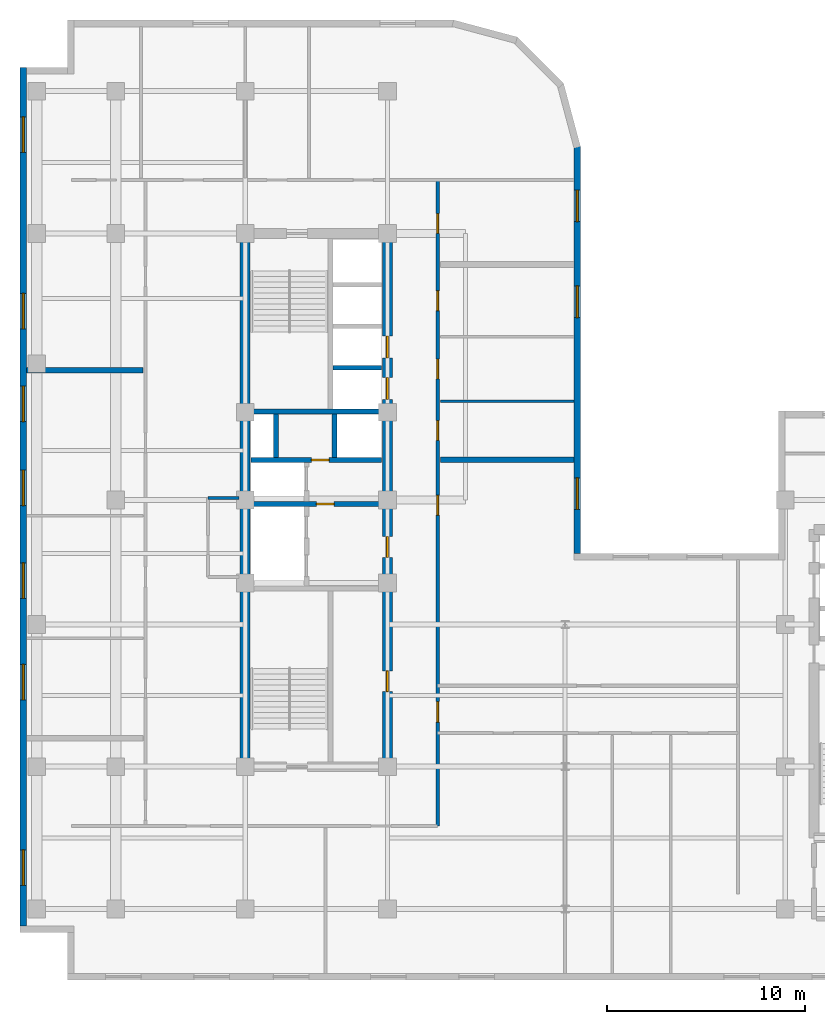
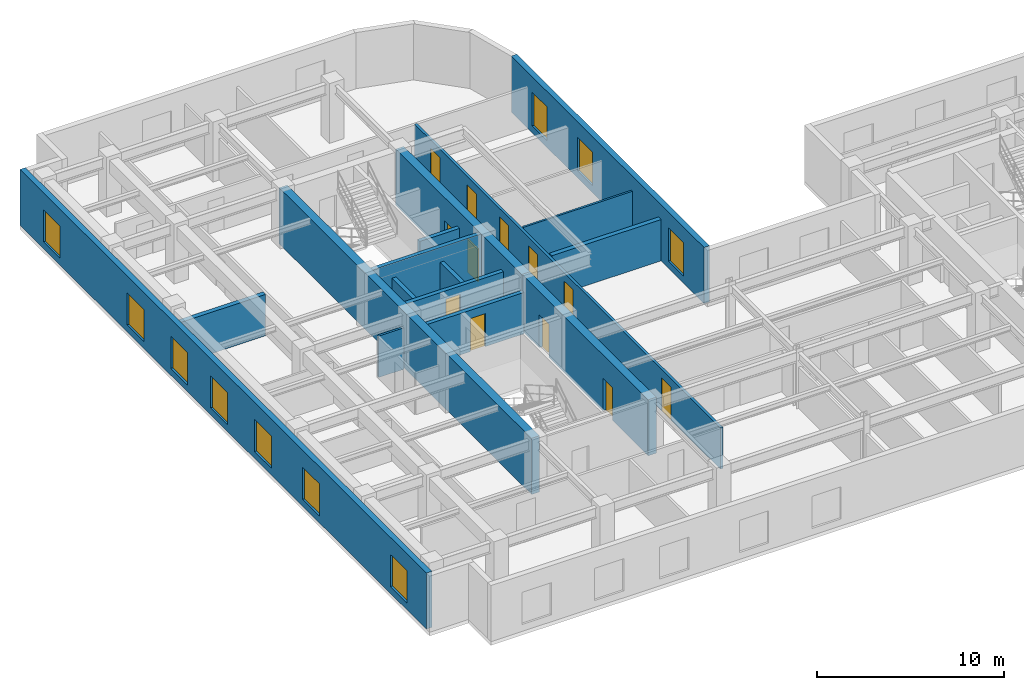
# One storey, part 5 of 11: 16 walls, 12 doors, 10 windows, 22 openings.
"""IFC4 building model written with IfcOpenShell, lengths in metres."""

from ifc_helpers import new_model, entity, si_unit, converted_unit, direction, frame, origin_with_axes, origin_2d_with_axis, place, context, subcontext, project, spatial, polyline, rectangle, outline, extrude, material, layer, layer_set, type_object, element, fill, save


model = new_model("IFC4")

# Units and contexts
model_context = context("Model", 3, precision=1e-05, world=origin_with_axes(), true_north=direction((0.0, 1.0)))
body_context = subcontext(model_context, "Body", "Model", "MODEL_VIEW")
ifc_project = project(units=[si_unit("LENGTHUNIT", "METRE"), si_unit("AREAUNIT", "SQUARE_METRE"), si_unit("VOLUMEUNIT", "CUBIC_METRE"), converted_unit("PLANEANGLEUNIT", "DEGREE", entity("IfcPlaneAngleMeasure", 0.017453292519943295), si_unit("PLANEANGLEUNIT", "RADIAN"), dimensions=[0, 0, 0, 0, 0, 0, 0]), si_unit("MASSUNIT", "GRAM", prefix="KILO"), si_unit("THERMODYNAMICTEMPERATUREUNIT", "KELVIN")], contexts=[model_context])

# Site, building, storey
site_placement = place(None, origin_with_axes())
site = spatial("IfcSite", under=ifc_project, at=site_placement, CompositionType="ELEMENT")
building_placement = place(site_placement, origin_with_axes())
building = spatial("IfcBuilding", under=site, at=building_placement, Name="Varnlund Millrace Tower", CompositionType="ELEMENT")
storey_placement = place(building_placement, frame((0.0, 0.0, 196.5), z_axis=(0.0, 0.0, 1.0), x_axis=(1.0, 0.0, 0.0)))
storey = spatial("IfcBuildingStorey", under=building, at=storey_placement, Name="L48", CompositionType="ELEMENT", Elevation=196.5)

# Wall
ifc_material_1 = material(Name="Concrete C70/85", Category="concrete")
ifc_layer_1 = layer(ifc_material_1, 0.5, Name="Concrete C70/85")
ifc_layer_set_1 = layer_set([ifc_layer_1], Name="Concrete C70/85")
wall_type_1 = type_object("IfcWallType", Name="Type-CoreWall-Shear-500-C70", PredefinedType="SHEAR", material=ifc_layer_set_1)
wall_1_placement = place(storey_placement, frame((11.4, 10.8, 0.0), z_axis=(0.0, 0.0, 1.0), x_axis=(0.0, 1.0, 0.0)))
element("IfcWall", 1, at=wall_1_placement, inside=storey, type_object=wall_type_1, Name="Type-CoreWall-Shear-500-C70", PredefinedType="SHEAR", context=body_context, shape_type="SweptSolid", body=[
    extrude(outline(polyline([(0.0, -0.25), (27.0, -0.25), (27.0, 0.25), (0.0, 0.25), (0.0, -0.25)])), origin_with_axes(), (0.0, 0.0, 1.0), 3.66),
])

# Wall, openings, doors
wall_2_placement = place(storey_placement, frame((18.6, 10.8, 0.0), z_axis=(0.0, 0.0, 1.0), x_axis=(0.0, 1.0, 0.0)))
wall_2 = element("IfcWall", 2, at=wall_2_placement, inside=storey, type_object=wall_type_1, Name="Type-CoreWall-Shear-500-C70", PredefinedType="SHEAR", context=body_context, shape_type="SweptSolid", body=[
    extrude(outline(polyline([(0.0, -0.25), (13.5, -0.25), (13.5, 0.25), (0.0, 0.25), (0.0, -0.25)])), origin_with_axes(), (0.0, 0.0, 1.0), 3.66),
])
opening_1_placement = place(wall_2_placement, frame((11.125, 0.0, 0.0), z_axis=(0.0, 0.0, 1.0), x_axis=(1.0, 0.0, 0.0)))
opening_1 = element("IfcOpeningElement", 3, at=opening_1_placement, cuts=wall_2, Name="Opening L48:DR-FFLOB-A", PredefinedType="OPENING", context=body_context, shape_type="SweptSolid", body=[
    extrude(rectangle(XDim=1.05, YDim=0.52, at=origin_2d_with_axis()), origin_with_axes(), (0.0, 0.0, 1.0), 2.15),
])
opening_2_placement = place(wall_2_placement, frame((4.325, 0.0, 0.0), z_axis=(0.0, 0.0, 1.0), x_axis=(1.0, 0.0, 0.0)))
opening_2 = element("IfcOpeningElement", 4, at=opening_2_placement, cuts=wall_2, Name="Opening L48:DR-RECL-A1", PredefinedType="OPENING", context=body_context, shape_type="SweptSolid", body=[
    extrude(rectangle(XDim=1.05, YDim=0.52, at=origin_2d_with_axis()), origin_with_axes(), (0.0, 0.0, 1.0), 2.15),
])
ifc_material_2 = material(Name="Smoke-barrier hollow steel fire door", Category="steel")
door_type_1 = type_object("IfcDoorType", Name="Type-FireDoor-Lobby-1050X2150", OperationType="NOTDEFINED", PredefinedType="DOOR", material=ifc_material_2)
door_1_placement = place(wall_2_placement, frame((11.125, 0.0, 0.0), z_axis=(0.0, 0.0, 1.0), x_axis=(1.0, 0.0, 0.0)))
door_1 = element("IfcDoor", 5, at=door_1_placement, inside=storey, type_object=door_type_1, Name="Type-FireDoor-Lobby-1050X2150", OperationType="SINGLE_SWING_LEFT", OverallHeight=2.15, OverallWidth=1.05, PredefinedType="DOOR", context=body_context, shape_type="SweptSolid", body=[
    extrude(rectangle(XDim=1.05, YDim=0.09, at=origin_2d_with_axis()), origin_with_axes(), (0.0, 0.0, 1.0), 2.15),
])
fill(opening_1, door_1)
door_2_placement = place(wall_2_placement, frame((4.325, 0.0, 0.0), z_axis=(0.0, 0.0, 1.0), x_axis=(1.0, 0.0, 0.0)))
door_2 = element("IfcDoor", 6, at=door_2_placement, inside=storey, type_object=door_type_1, Name="Type-FireDoor-Lobby-1050X2150", OperationType="SINGLE_SWING_LEFT", OverallHeight=2.15, OverallWidth=1.05, PredefinedType="DOOR", context=body_context, shape_type="SweptSolid", body=[
    extrude(rectangle(XDim=1.05, YDim=0.09, at=origin_2d_with_axis()), origin_with_axes(), (0.0, 0.0, 1.0), 2.15),
])
fill(opening_2, door_2)

wall_3_placement = place(storey_placement, frame((18.6, 24.3, 0.0), z_axis=(0.0, 0.0, 1.0), x_axis=(0.0, 1.0, 0.0)))
wall_3 = element("IfcWall", 7, at=wall_3_placement, inside=storey, type_object=wall_type_1, Name="Type-CoreWall-Shear-500-C70", PredefinedType="SHEAR", context=body_context, shape_type="SweptSolid", body=[
    extrude(outline(polyline([(0.0, -0.25), (13.5, -0.25), (13.5, 0.25), (0.0, 0.25), (0.0, -0.25)])), origin_with_axes(), (0.0, 0.0, 1.0), 3.66),
])
opening_3_placement = place(wall_3_placement, frame((5.65, 0.0, 0.0), z_axis=(0.0, 0.0, 1.0), x_axis=(1.0, 0.0, 0.0)))
opening_3 = element("IfcOpeningElement", 8, at=opening_3_placement, cuts=wall_3, Name="Opening L48:LD-ELV-M1", PredefinedType="OPENING", context=body_context, shape_type="SweptSolid", body=[
    extrude(rectangle(XDim=1.1, YDim=0.52, at=origin_2d_with_axis()), origin_with_axes(), (0.0, 0.0, 1.0), 2.15),
])
opening_4_placement = place(wall_3_placement, frame((7.75, 0.0, 0.0), z_axis=(0.0, 0.0, 1.0), x_axis=(1.0, 0.0, 0.0)))
opening_4 = element("IfcOpeningElement", 9, at=opening_4_placement, cuts=wall_3, Name="Opening L48:LD-ELV-M2", PredefinedType="OPENING", context=body_context, shape_type="SweptSolid", body=[
    extrude(rectangle(XDim=1.1, YDim=0.52, at=origin_2d_with_axis()), origin_with_axes(), (0.0, 0.0, 1.0), 2.15),
])
ifc_material_3 = material(Name="Stainless and architectural bronze sliding landing door")
door_type_2 = type_object("IfcDoorType", Name="Type-LiftLandingDoor-1100X2150", OperationType="NOTDEFINED", PredefinedType="DOOR", material=ifc_material_3)
door_3_placement = place(wall_3_placement, frame((5.65, 0.0, 0.0), z_axis=(0.0, 0.0, 1.0), x_axis=(1.0, 0.0, 0.0)))
door_3 = element("IfcDoor", 10, at=door_3_placement, inside=storey, type_object=door_type_2, Name="Type-LiftLandingDoor-1100X2150", OperationType="SLIDING_TO_LEFT", OverallHeight=2.15, OverallWidth=1.1, PredefinedType="DOOR", context=body_context, shape_type="SweptSolid", body=[
    extrude(rectangle(XDim=1.1, YDim=0.09, at=origin_2d_with_axis()), origin_with_axes(), (0.0, 0.0, 1.0), 2.15),
])
fill(opening_3, door_3)
door_4_placement = place(wall_3_placement, frame((7.75, 0.0, 0.0), z_axis=(0.0, 0.0, 1.0), x_axis=(1.0, 0.0, 0.0)))
door_4 = element("IfcDoor", 11, at=door_4_placement, inside=storey, type_object=door_type_2, Name="Type-LiftLandingDoor-1100X2150", OperationType="SLIDING_TO_RIGHT", OverallHeight=2.15, OverallWidth=1.1, PredefinedType="DOOR", context=body_context, shape_type="SweptSolid", body=[
    extrude(rectangle(XDim=1.1, YDim=0.09, at=origin_2d_with_axis()), origin_with_axes(), (0.0, 0.0, 1.0), 2.15),
])
fill(opening_4, door_4)

# Wall, openings, windows
ifc_material_4 = material(Name="Precast concrete C50/60", Category="concrete")
ifc_layer_2 = layer(ifc_material_4, 0.34, Name="Precast concrete C50/60")
ifc_layer_set_2 = layer_set([ifc_layer_2], Name="Precast concrete C50/60")
wall_type_2 = type_object("IfcWallType", Name="Type-ExtWall-Precast-Upper-340", PredefinedType="SOLIDWALL", material=ifc_layer_set_2)
wall_4_placement = place(storey_placement, frame((0.17, 2.74, 0.0), z_axis=(0.0, 0.0, 1.0), x_axis=(0.0, 1.0, 0.0)))
wall_4 = element("IfcWall", 12, at=wall_4_placement, inside=storey, type_object=wall_type_2, Name="Type-ExtWall-Precast-Upper-340", PredefinedType="SOLIDWALL", context=body_context, shape_type="SweptSolid", body=[
    extrude(outline(polyline([(0.0, -0.17), (43.46, -0.17), (43.46, 0.17), (0.0, 0.17), (0.0, -0.17)])), origin_with_axes(), (0.0, 0.0, 1.0), 3.66),
])
opening_5_placement = place(wall_4_placement, frame((2.948, 0.0, 0.45), z_axis=(0.0, 0.0, 1.0), x_axis=(1.0, 0.0, 0.0)))
opening_5 = element("IfcOpeningElement", 13, at=opening_5_placement, cuts=wall_4, Name="Opening L48:WN-17", PredefinedType="OPENING", context=body_context, shape_type="SweptSolid", body=[
    extrude(rectangle(XDim=1.8, YDim=0.36, at=origin_2d_with_axis()), origin_with_axes(), (0.0, 0.0, 1.0), 2.1),
])
opening_6_placement = place(wall_4_placement, frame((12.339, 0.0, 0.45), z_axis=(0.0, 0.0, 1.0), x_axis=(1.0, 0.0, 0.0)))
opening_6 = element("IfcOpeningElement", 14, at=opening_6_placement, cuts=wall_4, Name="Opening L48:WN-18", PredefinedType="OPENING", context=body_context, shape_type="SweptSolid", body=[
    extrude(rectangle(XDim=1.8, YDim=0.36, at=origin_2d_with_axis()), origin_with_axes(), (0.0, 0.0, 1.0), 2.1),
])
opening_7_placement = place(wall_4_placement, frame((17.484, 0.0, 0.45), z_axis=(0.0, 0.0, 1.0), x_axis=(1.0, 0.0, 0.0)))
opening_7 = element("IfcOpeningElement", 15, at=opening_7_placement, cuts=wall_4, Name="Opening L48:WN-19", PredefinedType="OPENING", context=body_context, shape_type="SweptSolid", body=[
    extrude(rectangle(XDim=1.8, YDim=0.36, at=origin_2d_with_axis()), origin_with_axes(), (0.0, 0.0, 1.0), 2.1),
])
opening_8_placement = place(wall_4_placement, frame((22.18, 0.0, 0.45), z_axis=(0.0, 0.0, 1.0), x_axis=(1.0, 0.0, 0.0)))
opening_8 = element("IfcOpeningElement", 16, at=opening_8_placement, cuts=wall_4, Name="Opening L48:WN-20", PredefinedType="OPENING", context=body_context, shape_type="SweptSolid", body=[
    extrude(rectangle(XDim=1.8, YDim=0.36, at=origin_2d_with_axis()), origin_with_axes(), (0.0, 0.0, 1.0), 2.1),
])
opening_9_placement = place(wall_4_placement, frame((26.426, 0.0, 0.45), z_axis=(0.0, 0.0, 1.0), x_axis=(1.0, 0.0, 0.0)))
opening_9 = element("IfcOpeningElement", 17, at=opening_9_placement, cuts=wall_4, Name="Opening L48:WN-21", PredefinedType="OPENING", context=body_context, shape_type="SweptSolid", body=[
    extrude(rectangle(XDim=1.8, YDim=0.36, at=origin_2d_with_axis()), origin_with_axes(), (0.0, 0.0, 1.0), 2.1),
])
opening_10_placement = place(wall_4_placement, frame((31.121, 0.0, 0.45), z_axis=(0.0, 0.0, 1.0), x_axis=(1.0, 0.0, 0.0)))
opening_10 = element("IfcOpeningElement", 18, at=opening_10_placement, cuts=wall_4, Name="Opening L48:WN-22", PredefinedType="OPENING", context=body_context, shape_type="SweptSolid", body=[
    extrude(rectangle(XDim=1.8, YDim=0.36, at=origin_2d_with_axis()), origin_with_axes(), (0.0, 0.0, 1.0), 2.1),
])
opening_11_placement = place(wall_4_placement, frame((40.062, 0.0, 0.45), z_axis=(0.0, 0.0, 1.0), x_axis=(1.0, 0.0, 0.0)))
opening_11 = element("IfcOpeningElement", 19, at=opening_11_placement, cuts=wall_4, Name="Opening L48:WN-23", PredefinedType="OPENING", context=body_context, shape_type="SweptSolid", body=[
    extrude(rectangle(XDim=1.8, YDim=0.36, at=origin_2d_with_axis()), origin_with_axes(), (0.0, 0.0, 1.0), 2.1),
])
ifc_material_5 = material(Name="Argon low-e triple glazing in thermally broken bronze frame", Category="glass")
window_type_1 = type_object("IfcWindowType", Name="Type-Window-Punched-1800X2100", PartitioningType="SINGLE_PANEL", PredefinedType="WINDOW", material=ifc_material_5)
window_1_placement = place(wall_4_placement, frame((2.948, 0.0, 0.45), z_axis=(0.0, 0.0, 1.0), x_axis=(1.0, 0.0, 0.0)))
window_1 = element("IfcWindow", 20, at=window_1_placement, inside=storey, type_object=window_type_1, Name="Type-Window-Punched-1800X2100", OverallHeight=2.1, OverallWidth=1.8, PredefinedType="WINDOW", context=body_context, shape_type="SweptSolid", body=[
    extrude(rectangle(XDim=1.8, YDim=0.09, at=origin_2d_with_axis()), origin_with_axes(), (0.0, 0.0, 1.0), 2.1),
])
fill(opening_5, window_1)
window_2_placement = place(wall_4_placement, frame((12.339, 0.0, 0.45), z_axis=(0.0, 0.0, 1.0), x_axis=(1.0, 0.0, 0.0)))
window_2 = element("IfcWindow", 21, at=window_2_placement, inside=storey, type_object=window_type_1, Name="Type-Window-Punched-1800X2100", OverallHeight=2.1, OverallWidth=1.8, PredefinedType="WINDOW", context=body_context, shape_type="SweptSolid", body=[
    extrude(rectangle(XDim=1.8, YDim=0.09, at=origin_2d_with_axis()), origin_with_axes(), (0.0, 0.0, 1.0), 2.1),
])
fill(opening_6, window_2)
window_3_placement = place(wall_4_placement, frame((17.484, 0.0, 0.45), z_axis=(0.0, 0.0, 1.0), x_axis=(1.0, 0.0, 0.0)))
window_3 = element("IfcWindow", 22, at=window_3_placement, inside=storey, type_object=window_type_1, Name="Type-Window-Punched-1800X2100", OverallHeight=2.1, OverallWidth=1.8, PredefinedType="WINDOW", context=body_context, shape_type="SweptSolid", body=[
    extrude(rectangle(XDim=1.8, YDim=0.09, at=origin_2d_with_axis()), origin_with_axes(), (0.0, 0.0, 1.0), 2.1),
])
fill(opening_7, window_3)
window_4_placement = place(wall_4_placement, frame((22.18, 0.0, 0.45), z_axis=(0.0, 0.0, 1.0), x_axis=(1.0, 0.0, 0.0)))
window_4 = element("IfcWindow", 23, at=window_4_placement, inside=storey, type_object=window_type_1, Name="Type-Window-Punched-1800X2100", OverallHeight=2.1, OverallWidth=1.8, PredefinedType="WINDOW", context=body_context, shape_type="SweptSolid", body=[
    extrude(rectangle(XDim=1.8, YDim=0.09, at=origin_2d_with_axis()), origin_with_axes(), (0.0, 0.0, 1.0), 2.1),
])
fill(opening_8, window_4)
window_5_placement = place(wall_4_placement, frame((26.426, 0.0, 0.45), z_axis=(0.0, 0.0, 1.0), x_axis=(1.0, 0.0, 0.0)))
window_5 = element("IfcWindow", 24, at=window_5_placement, inside=storey, type_object=window_type_1, Name="Type-Window-Punched-1800X2100", OverallHeight=2.1, OverallWidth=1.8, PredefinedType="WINDOW", context=body_context, shape_type="SweptSolid", body=[
    extrude(rectangle(XDim=1.8, YDim=0.09, at=origin_2d_with_axis()), origin_with_axes(), (0.0, 0.0, 1.0), 2.1),
])
fill(opening_9, window_5)
window_6_placement = place(wall_4_placement, frame((31.121, 0.0, 0.45), z_axis=(0.0, 0.0, 1.0), x_axis=(1.0, 0.0, 0.0)))
window_6 = element("IfcWindow", 25, at=window_6_placement, inside=storey, type_object=window_type_1, Name="Type-Window-Punched-1800X2100", OverallHeight=2.1, OverallWidth=1.8, PredefinedType="WINDOW", context=body_context, shape_type="SweptSolid", body=[
    extrude(rectangle(XDim=1.8, YDim=0.09, at=origin_2d_with_axis()), origin_with_axes(), (0.0, 0.0, 1.0), 2.1),
])
fill(opening_10, window_6)
window_7_placement = place(wall_4_placement, frame((40.062, 0.0, 0.45), z_axis=(0.0, 0.0, 1.0), x_axis=(1.0, 0.0, 0.0)))
window_7 = element("IfcWindow", 26, at=window_7_placement, inside=storey, type_object=window_type_1, Name="Type-Window-Punched-1800X2100", OverallHeight=2.1, OverallWidth=1.8, PredefinedType="WINDOW", context=body_context, shape_type="SweptSolid", body=[
    extrude(rectangle(XDim=1.8, YDim=0.09, at=origin_2d_with_axis()), origin_with_axes(), (0.0, 0.0, 1.0), 2.1),
])
fill(opening_11, window_7)

wall_5_placement = place(storey_placement, frame((28.209, 42.22, 0.0), z_axis=(0.0, 0.0, 1.0), x_axis=(0.0, -1.0, 0.0)))
wall_5 = element("IfcWall", 27, at=wall_5_placement, inside=storey, type_object=wall_type_2, Name="Type-ExtWall-Precast-Upper-340", PredefinedType="SOLIDWALL", context=body_context, shape_type="SweptSolid", body=[
    extrude(outline(polyline([(0.0, -0.17), (20.62, -0.17), (20.62, 0.17), (0.0, 0.17), (0.0, -0.17)])), origin_with_axes(), (0.0, 0.0, 1.0), 3.66),
])
opening_12_placement = place(wall_5_placement, frame((3.028, 0.0, 0.45), z_axis=(0.0, 0.0, 1.0), x_axis=(1.0, 0.0, 0.0)))
opening_12 = element("IfcOpeningElement", 28, at=opening_12_placement, cuts=wall_5, Name="Opening L48:WN-26", PredefinedType="OPENING", context=body_context, shape_type="SweptSolid", body=[
    extrude(rectangle(XDim=1.6, YDim=0.36, at=origin_2d_with_axis()), origin_with_axes(), (0.0, 0.0, 1.0), 2.2),
])
opening_13_placement = place(wall_5_placement, frame((7.882, 0.0, 0.45), z_axis=(0.0, 0.0, 1.0), x_axis=(1.0, 0.0, 0.0)))
opening_13 = element("IfcOpeningElement", 29, at=opening_13_placement, cuts=wall_5, Name="Opening L48:WN-27", PredefinedType="OPENING", context=body_context, shape_type="SweptSolid", body=[
    extrude(rectangle(XDim=1.6, YDim=0.36, at=origin_2d_with_axis()), origin_with_axes(), (0.0, 0.0, 1.0), 2.2),
])
opening_14_placement = place(wall_5_placement, frame((17.593, 0.0, 0.45), z_axis=(0.0, 0.0, 1.0), x_axis=(1.0, 0.0, 0.0)))
opening_14 = element("IfcOpeningElement", 30, at=opening_14_placement, cuts=wall_5, Name="Opening L48:WN-28", PredefinedType="OPENING", context=body_context, shape_type="SweptSolid", body=[
    extrude(rectangle(XDim=1.6, YDim=0.36, at=origin_2d_with_axis()), origin_with_axes(), (0.0, 0.0, 1.0), 2.2),
])
window_type_2 = type_object("IfcWindowType", Name="Type-Window-Slot-1600X2200", PartitioningType="SINGLE_PANEL", PredefinedType="WINDOW", material=ifc_material_5)
window_8_placement = place(wall_5_placement, frame((3.028, 0.0, 0.45), z_axis=(0.0, 0.0, 1.0), x_axis=(1.0, 0.0, 0.0)))
window_8 = element("IfcWindow", 31, at=window_8_placement, inside=storey, type_object=window_type_2, Name="Type-Window-Slot-1600X2200", OverallHeight=2.2, OverallWidth=1.6, PredefinedType="WINDOW", context=body_context, shape_type="SweptSolid", body=[
    extrude(rectangle(XDim=1.6, YDim=0.09, at=origin_2d_with_axis()), origin_with_axes(), (0.0, 0.0, 1.0), 2.2),
])
fill(opening_12, window_8)
window_9_placement = place(wall_5_placement, frame((7.882, 0.0, 0.45), z_axis=(0.0, 0.0, 1.0), x_axis=(1.0, 0.0, 0.0)))
window_9 = element("IfcWindow", 32, at=window_9_placement, inside=storey, type_object=window_type_2, Name="Type-Window-Slot-1600X2200", OverallHeight=2.2, OverallWidth=1.6, PredefinedType="WINDOW", context=body_context, shape_type="SweptSolid", body=[
    extrude(rectangle(XDim=1.6, YDim=0.09, at=origin_2d_with_axis()), origin_with_axes(), (0.0, 0.0, 1.0), 2.2),
])
fill(opening_13, window_9)
window_10_placement = place(wall_5_placement, frame((17.593, 0.0, 0.45), z_axis=(0.0, 0.0, 1.0), x_axis=(1.0, 0.0, 0.0)))
window_10 = element("IfcWindow", 33, at=window_10_placement, inside=storey, type_object=window_type_2, Name="Type-Window-Slot-1600X2200", OverallHeight=2.2, OverallWidth=1.6, PredefinedType="WINDOW", context=body_context, shape_type="SweptSolid", body=[
    extrude(rectangle(XDim=1.6, YDim=0.09, at=origin_2d_with_axis()), origin_with_axes(), (0.0, 0.0, 1.0), 2.2),
])
fill(opening_14, window_10)

# Walls
ifc_material_6 = material(Name="Double-stud STC-60 conference acoustic partition", Category="gypsum")
ifc_layer_3 = layer(ifc_material_6, 0.28, Name="Double-stud STC-60 conference acoustic partition")
ifc_layer_set_3 = layer_set([ifc_layer_3], Name="Double-stud STC-60 conference acoustic partition")
wall_type_3 = type_object("IfcWallType", Name="Type-Partition-Acoustic-280", PredefinedType="PARTITIONING", material=ifc_layer_set_3)
wall_6_placement = place(storey_placement, frame((0.335, 30.87, 0.0), z_axis=(0.0, 0.0, 1.0), x_axis=(1.0, 0.0, 0.0)))
element("IfcWall", 34, at=wall_6_placement, inside=storey, type_object=wall_type_3, Name="Type-Partition-Acoustic-280", PredefinedType="PARTITIONING", context=body_context, shape_type="SweptSolid", body=[
    extrude(outline(polyline([(0.0, -0.14), (5.895, -0.14), (5.895, 0.14), (0.0, 0.14), (0.0, -0.14)])), origin_with_axes(), (0.0, 0.0, 1.0), 2.7),
])
wall_7_placement = place(storey_placement, frame((21.3, 26.339, 0.0), z_axis=(0.0, 0.0, 1.0), x_axis=(1.0, 0.0, 0.0)))
element("IfcWall", 35, at=wall_7_placement, inside=storey, type_object=wall_type_3, Name="Type-Partition-Acoustic-280", PredefinedType="PARTITIONING", context=body_context, shape_type="SweptSolid", body=[
    extrude(outline(polyline([(0.0, -0.14), (6.744, -0.14), (6.744, 0.14), (0.0, 0.14), (0.0, -0.14)])), origin_with_axes(), (0.0, 0.0, 1.0), 2.7),
])

# Wall, openings, doors
ifc_material_7 = material(Name="Fire-rated gypsum board on cold-formed steel framing", Category="steel")
ifc_layer_4 = layer(ifc_material_7, 0.16, Name="Fire-rated gypsum board on cold-formed steel framing")
ifc_layer_set_4 = layer_set([ifc_layer_4], Name="Fire-rated gypsum board on cold-formed steel framing")
wall_type_4 = type_object("IfcWallType", Name="Type-Partition-Corridor-160", PredefinedType="PARTITIONING", material=ifc_layer_set_4)
wall_8_placement = place(storey_placement, frame((21.15, 7.8, 0.0), z_axis=(0.0, 0.0, 1.0), x_axis=(0.0, 1.0, 0.0)))
wall_8 = element("IfcWall", 36, at=wall_8_placement, inside=storey, type_object=wall_type_4, Name="Type-Partition-Corridor-160", PredefinedType="PARTITIONING", context=body_context, shape_type="SweptSolid", body=[
    extrude(outline(polyline([(0.0, -0.08), (32.7, -0.08), (32.7, 0.08), (0.0, 0.08), (0.0, -0.08)])), origin_with_axes(), (0.0, 0.0, 1.0), 2.7),
])
opening_15_placement = place(wall_8_placement, frame((16.2345, 0.0, 0.0), z_axis=(0.0, 0.0, 1.0), x_axis=(1.0, 0.0, 0.0)))
opening_15 = element("IfcOpeningElement", 37, at=opening_15_placement, cuts=wall_8, Name="Opening L48:DR-FLR-01", PredefinedType="OPENING", context=body_context, shape_type="SweptSolid", body=[
    extrude(rectangle(XDim=1.0, YDim=0.18, at=origin_2d_with_axis()), origin_with_axes(), (0.0, 0.0, 1.0), 2.15),
])
opening_16_placement = place(wall_8_placement, frame((20.0235, 0.0, 0.0), z_axis=(0.0, 0.0, 1.0), x_axis=(1.0, 0.0, 0.0)))
opening_16 = element("IfcOpeningElement", 38, at=opening_16_placement, cuts=wall_8, Name="Opening L48:DR-FLR-02", PredefinedType="OPENING", context=body_context, shape_type="SweptSolid", body=[
    extrude(rectangle(XDim=1.0, YDim=0.18, at=origin_2d_with_axis()), origin_with_axes(), (0.0, 0.0, 1.0), 2.15),
])
opening_17_placement = place(wall_8_placement, frame((23.135, 0.0, 0.0), z_axis=(0.0, 0.0, 1.0), x_axis=(1.0, 0.0, 0.0)))
opening_17 = element("IfcOpeningElement", 39, at=opening_17_placement, cuts=wall_8, Name="Opening L48:DR-FLR-03", PredefinedType="OPENING", context=body_context, shape_type="SweptSolid", body=[
    extrude(rectangle(XDim=1.0, YDim=0.18, at=origin_2d_with_axis()), origin_with_axes(), (0.0, 0.0, 1.0), 2.15),
])
opening_18_placement = place(wall_8_placement, frame((26.594, 0.0, 0.0), z_axis=(0.0, 0.0, 1.0), x_axis=(1.0, 0.0, 0.0)))
opening_18 = element("IfcOpeningElement", 40, at=opening_18_placement, cuts=wall_8, Name="Opening L48:DR-FLR-04", PredefinedType="OPENING", context=body_context, shape_type="SweptSolid", body=[
    extrude(rectangle(XDim=1.0, YDim=0.18, at=origin_2d_with_axis()), origin_with_axes(), (0.0, 0.0, 1.0), 2.15),
])
opening_19_placement = place(wall_8_placement, frame((30.498, 0.0, 0.0), z_axis=(0.0, 0.0, 1.0), x_axis=(1.0, 0.0, 0.0)))
opening_19 = element("IfcOpeningElement", 41, at=opening_19_placement, cuts=wall_8, Name="Opening L48:DR-FLR-05", PredefinedType="OPENING", context=body_context, shape_type="SweptSolid", body=[
    extrude(rectangle(XDim=1.0, YDim=0.18, at=origin_2d_with_axis()), origin_with_axes(), (0.0, 0.0, 1.0), 2.15),
])
opening_20_placement = place(wall_8_placement, frame((5.775, 0.0, 0.0), z_axis=(0.0, 0.0, 1.0), x_axis=(1.0, 0.0, 0.0)))
opening_20 = element("IfcOpeningElement", 42, at=opening_20_placement, cuts=wall_8, Name="Opening L48:DR-KN-W", PredefinedType="OPENING", context=body_context, shape_type="SweptSolid", body=[
    extrude(rectangle(XDim=1.05, YDim=0.18, at=origin_2d_with_axis()), origin_with_axes(), (0.0, 0.0, 1.0), 2.15),
])
door_5_placement = place(wall_8_placement, frame((5.775, 0.0, 0.0), z_axis=(0.0, 0.0, 1.0), x_axis=(1.0, 0.0, 0.0)))
door_5 = element("IfcDoor", 43, at=door_5_placement, inside=storey, type_object=door_type_1, Name="Type-FireDoor-Lobby-1050X2150", OperationType="SINGLE_SWING_LEFT", OverallHeight=2.15, OverallWidth=1.05, PredefinedType="DOOR", context=body_context, shape_type="SweptSolid", body=[
    extrude(rectangle(XDim=1.05, YDim=0.09, at=origin_2d_with_axis()), origin_with_axes(), (0.0, 0.0, 1.0), 2.15),
])
fill(opening_20, door_5)
ifc_material_8 = material(Name="Solid-core white oak and bronze frame door")
door_type_3 = type_object("IfcDoorType", Name="Type-IntDoor-Office-1000X2150", OperationType="NOTDEFINED", PredefinedType="DOOR", material=ifc_material_8)
door_6_placement = place(wall_8_placement, frame((16.2345, 0.0, 0.0), z_axis=(0.0, 0.0, 1.0), x_axis=(1.0, 0.0, 0.0)))
door_6 = element("IfcDoor", 44, at=door_6_placement, inside=storey, type_object=door_type_3, Name="Type-IntDoor-Office-1000X2150", OperationType="SINGLE_SWING_LEFT", OverallHeight=2.15, OverallWidth=1.0, PredefinedType="DOOR", context=body_context, shape_type="SweptSolid", body=[
    extrude(rectangle(XDim=1.0, YDim=0.09, at=origin_2d_with_axis()), origin_with_axes(), (0.0, 0.0, 1.0), 2.15),
])
fill(opening_15, door_6)
door_7_placement = place(wall_8_placement, frame((20.0235, 0.0, 0.0), z_axis=(0.0, 0.0, 1.0), x_axis=(1.0, 0.0, 0.0)))
door_7 = element("IfcDoor", 45, at=door_7_placement, inside=storey, type_object=door_type_3, Name="Type-IntDoor-Office-1000X2150", OperationType="SINGLE_SWING_RIGHT", OverallHeight=2.15, OverallWidth=1.0, PredefinedType="DOOR", context=body_context, shape_type="SweptSolid", body=[
    extrude(rectangle(XDim=1.0, YDim=0.09, at=origin_2d_with_axis()), origin_with_axes(), (0.0, 0.0, 1.0), 2.15),
])
fill(opening_16, door_7)
door_8_placement = place(wall_8_placement, frame((23.135, 0.0, 0.0), z_axis=(0.0, 0.0, 1.0), x_axis=(1.0, 0.0, 0.0)))
door_8 = element("IfcDoor", 46, at=door_8_placement, inside=storey, type_object=door_type_3, Name="Type-IntDoor-Office-1000X2150", OperationType="SINGLE_SWING_LEFT", OverallHeight=2.15, OverallWidth=1.0, PredefinedType="DOOR", context=body_context, shape_type="SweptSolid", body=[
    extrude(rectangle(XDim=1.0, YDim=0.09, at=origin_2d_with_axis()), origin_with_axes(), (0.0, 0.0, 1.0), 2.15),
])
fill(opening_17, door_8)
door_9_placement = place(wall_8_placement, frame((26.594, 0.0, 0.0), z_axis=(0.0, 0.0, 1.0), x_axis=(1.0, 0.0, 0.0)))
door_9 = element("IfcDoor", 47, at=door_9_placement, inside=storey, type_object=door_type_3, Name="Type-IntDoor-Office-1000X2150", OperationType="SINGLE_SWING_RIGHT", OverallHeight=2.15, OverallWidth=1.0, PredefinedType="DOOR", context=body_context, shape_type="SweptSolid", body=[
    extrude(rectangle(XDim=1.0, YDim=0.09, at=origin_2d_with_axis()), origin_with_axes(), (0.0, 0.0, 1.0), 2.15),
])
fill(opening_18, door_9)
door_10_placement = place(wall_8_placement, frame((30.498, 0.0, 0.0), z_axis=(0.0, 0.0, 1.0), x_axis=(1.0, 0.0, 0.0)))
door_10 = element("IfcDoor", 48, at=door_10_placement, inside=storey, type_object=door_type_3, Name="Type-IntDoor-Office-1000X2150", OperationType="SINGLE_SWING_LEFT", OverallHeight=2.15, OverallWidth=1.0, PredefinedType="DOOR", context=body_context, shape_type="SweptSolid", body=[
    extrude(rectangle(XDim=1.0, YDim=0.09, at=origin_2d_with_axis()), origin_with_axes(), (0.0, 0.0, 1.0), 2.15),
])
fill(opening_19, door_10)

# Walls
ifc_material_9 = material(Name="Gypsum board tenant partition", Category="gypsum")
ifc_layer_5 = layer(ifc_material_9, 0.125, Name="Gypsum board tenant partition")
ifc_layer_set_5 = layer_set([ifc_layer_5], Name="Gypsum board tenant partition")
wall_type_5 = type_object("IfcWallType", Name="Type-Partition-Tenant-125", PredefinedType="PARTITIONING", material=ifc_layer_set_5)
wall_9_placement = place(storey_placement, frame((21.3, 29.308, 0.0), z_axis=(0.0, 0.0, 1.0), x_axis=(1.0, 0.0, 0.0)))
element("IfcWall", 49, at=wall_9_placement, inside=storey, type_object=wall_type_5, Name="Type-Partition-Tenant-125", PredefinedType="PARTITIONING", context=body_context, shape_type="SweptSolid", body=[
    extrude(outline(polyline([(0.0, -0.0625), (6.744, -0.0625), (6.744, 0.0625), (0.0, 0.0625), (0.0, -0.0625)])), origin_with_axes(), (0.0, 0.0, 1.0), 2.7),
])
ifc_material_10 = material(Name="Moisture-resistant gypsum restroom partition", Category="gypsum")
ifc_layer_6 = layer(ifc_material_10, 0.14, Name="Moisture-resistant gypsum restroom partition")
ifc_layer_set_6 = layer_set([ifc_layer_6], Name="Moisture-resistant gypsum restroom partition")
wall_type_6 = type_object("IfcWallType", Name="Type-Partition-Wet-140", PredefinedType="PARTITIONING", material=ifc_layer_set_6)
wall_10_placement = place(storey_placement, frame((9.52, 24.4, 0.0), z_axis=(0.0, 0.0, 1.0), x_axis=(1.0, 0.0, 0.0)))
element("IfcWall", 50, at=wall_10_placement, inside=storey, type_object=wall_type_6, Name="Type-Partition-Wet-140", PredefinedType="PARTITIONING", context=body_context, shape_type="SweptSolid", body=[
    extrude(outline(polyline([(0.0, -0.07), (1.58, -0.07), (1.58, 0.07), (0.0, 0.07), (0.0, -0.07)])), origin_with_axes(), (0.0, 0.0, 1.0), 2.7),
])

# Wall, opening, door
ifc_material_11 = material(Name="Concrete C60/75", Category="concrete")
ifc_layer_7 = layer(ifc_material_11, 0.25, Name="Concrete C60/75")
ifc_layer_set_7 = layer_set([ifc_layer_7], Name="Concrete C60/75")
wall_type_7 = type_object("IfcWallType", Name="Type-ShaftWall-Fire-250", PredefinedType="SOLIDWALL", material=ifc_layer_set_7)
wall_11_placement = place(storey_placement, frame((11.7, 24.1, 0.0), z_axis=(0.0, 0.0, 1.0), x_axis=(1.0, 0.0, 0.0)))
wall_11 = element("IfcWall", 51, at=wall_11_placement, inside=storey, type_object=wall_type_7, Name="Type-ShaftWall-Fire-250", PredefinedType="SOLIDWALL", context=body_context, shape_type="SweptSolid", body=[
    extrude(outline(polyline([(0.0, -0.125), (6.6, -0.125), (6.6, 0.125), (0.0, 0.125), (0.0, -0.125)])), origin_with_axes(), (0.0, 0.0, 1.0), 2.7),
])
opening_21_placement = place(wall_11_placement, frame((3.75, 0.0, 0.0), z_axis=(0.0, 0.0, 1.0), x_axis=(1.0, 0.0, 0.0)))
opening_21 = element("IfcOpeningElement", 52, at=opening_21_placement, cuts=wall_11, Name="Opening L48:DR-CA-SRV1", PredefinedType="OPENING", context=body_context, shape_type="SweptSolid", body=[
    extrude(rectangle(XDim=0.9, YDim=0.27, at=origin_2d_with_axis()), origin_with_axes(), (0.0, 0.0, 1.0), 2.15),
])
ifc_material_12 = material(Name="Fire-rated hollow steel service closet door", Category="steel")
door_type_4 = type_object("IfcDoorType", Name="Type-FireDoor-Closet-900X2150", OperationType="NOTDEFINED", PredefinedType="DOOR", material=ifc_material_12)
door_11_placement = place(wall_11_placement, frame((3.75, 0.0, 0.0), z_axis=(0.0, 0.0, 1.0), x_axis=(1.0, 0.0, 0.0)))
door_11 = element("IfcDoor", 53, at=door_11_placement, inside=storey, type_object=door_type_4, Name="Type-FireDoor-Closet-900X2150", OperationType="SINGLE_SWING_LEFT", OverallHeight=2.15, OverallWidth=0.9, PredefinedType="DOOR", context=body_context, shape_type="SweptSolid", body=[
    extrude(rectangle(XDim=0.9, YDim=0.09, at=origin_2d_with_axis()), origin_with_axes(), (0.0, 0.0, 1.0), 2.15),
])
fill(opening_21, door_11)

wall_12_placement = place(storey_placement, frame((11.7, 26.325, 0.0), z_axis=(0.0, 0.0, 1.0), x_axis=(1.0, 0.0, 0.0)))
wall_12 = element("IfcWall", 54, at=wall_12_placement, inside=storey, type_object=wall_type_7, Name="Type-ShaftWall-Fire-250", PredefinedType="SOLIDWALL", context=body_context, shape_type="SweptSolid", body=[
    extrude(outline(polyline([(0.0, -0.125), (6.6, -0.125), (6.6, 0.125), (0.0, 0.125), (0.0, -0.125)])), origin_with_axes(), (0.0, 0.0, 1.0), 2.7),
])
opening_22_placement = place(wall_12_placement, frame((3.5, 0.0, 0.0), z_axis=(0.0, 0.0, 1.0), x_axis=(1.0, 0.0, 0.0)))
opening_22 = element("IfcOpeningElement", 55, at=opening_22_placement, cuts=wall_12, Name="Opening L48:DR-CA-ELC", PredefinedType="OPENING", context=body_context, shape_type="SweptSolid", body=[
    extrude(rectangle(XDim=0.9, YDim=0.27, at=origin_2d_with_axis()), origin_with_axes(), (0.0, 0.0, 1.0), 2.15),
])
door_12_placement = place(wall_12_placement, frame((3.5, 0.0, 0.0), z_axis=(0.0, 0.0, 1.0), x_axis=(1.0, 0.0, 0.0)))
door_12 = element("IfcDoor", 56, at=door_12_placement, inside=storey, type_object=door_type_4, Name="Type-FireDoor-Closet-900X2150", OperationType="SINGLE_SWING_LEFT", OverallHeight=2.15, OverallWidth=0.9, PredefinedType="DOOR", context=body_context, shape_type="SweptSolid", body=[
    extrude(rectangle(XDim=0.9, YDim=0.09, at=origin_2d_with_axis()), origin_with_axes(), (0.0, 0.0, 1.0), 2.15),
])
fill(opening_22, door_12)

# Walls
for number, where, z_axis, x_axis, name in (
    (57, (12.96, 26.45, 0.0), (0.0, 0.0, 1.0), (0.0, 1.0, 0.0), "Type-ShaftWall-Fire-250"),
    (58, (15.925, 26.45, 0.0), (0.0, 0.0, 1.0), (0.0, 1.0, 0.0), "Type-ShaftWall-Fire-250"),
):
    element("IfcWall", number, at=place(storey_placement, frame(where, z_axis=z_axis, x_axis=x_axis)), inside=storey, type_object=wall_type_7, Name=name, PredefinedType="SOLIDWALL", context=body_context, shape_type="SweptSolid", body=[
        extrude(outline(polyline([(0.0, -0.125), (2.2, -0.125), (2.2, 0.125), (0.0, 0.125), (0.0, -0.125)])), origin_with_axes(), (0.0, 0.0, 1.0), 2.7),
    ])
wall_13_placement = place(storey_placement, frame((15.84, 31.0, 0.0), z_axis=(0.0, 0.0, 1.0), x_axis=(1.0, 0.0, 0.0)))
element("IfcWall", 59, at=wall_13_placement, inside=storey, type_object=wall_type_7, Name="Type-ShaftWall-Fire-250", PredefinedType="SOLIDWALL", context=body_context, shape_type="SweptSolid", body=[
    extrude(outline(polyline([(0.0, -0.125), (2.46, -0.125), (2.46, 0.125), (0.0, 0.125), (0.0, -0.125)])), origin_with_axes(), (0.0, 0.0, 1.0), 2.7),
])
wall_type_8 = type_object("IfcWallType", Name="Type-StairWall-Shear-250", PredefinedType="SHEAR", material=ifc_layer_set_7)
wall_14_placement = place(storey_placement, frame((11.65, 28.775, 0.0), z_axis=(0.0, 0.0, 1.0), x_axis=(1.0, 0.0, 0.0)))
element("IfcWall", 60, at=wall_14_placement, inside=storey, type_object=wall_type_8, Name="Type-StairWall-Shear-250", PredefinedType="SHEAR", context=body_context, shape_type="SweptSolid", body=[
    extrude(outline(polyline([(0.0, -0.125), (6.7, -0.125), (6.7, 0.125), (0.0, 0.125), (0.0, -0.125)])), origin_with_axes(), (0.0, 0.0, 1.0), 3.66),
])

save(model, "model.ifc")
